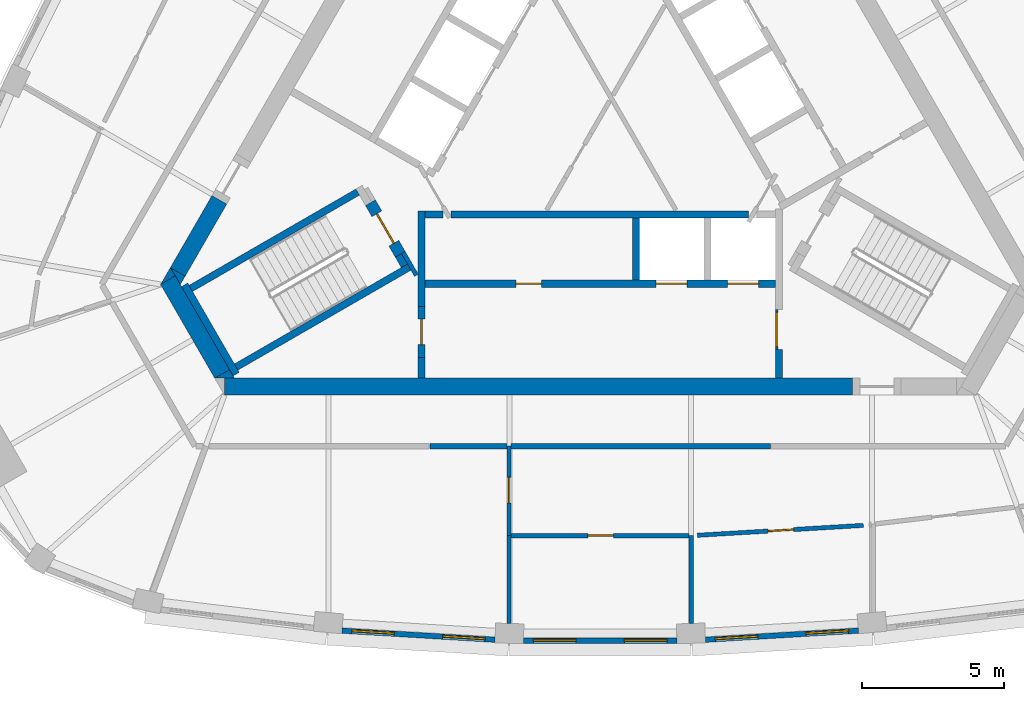
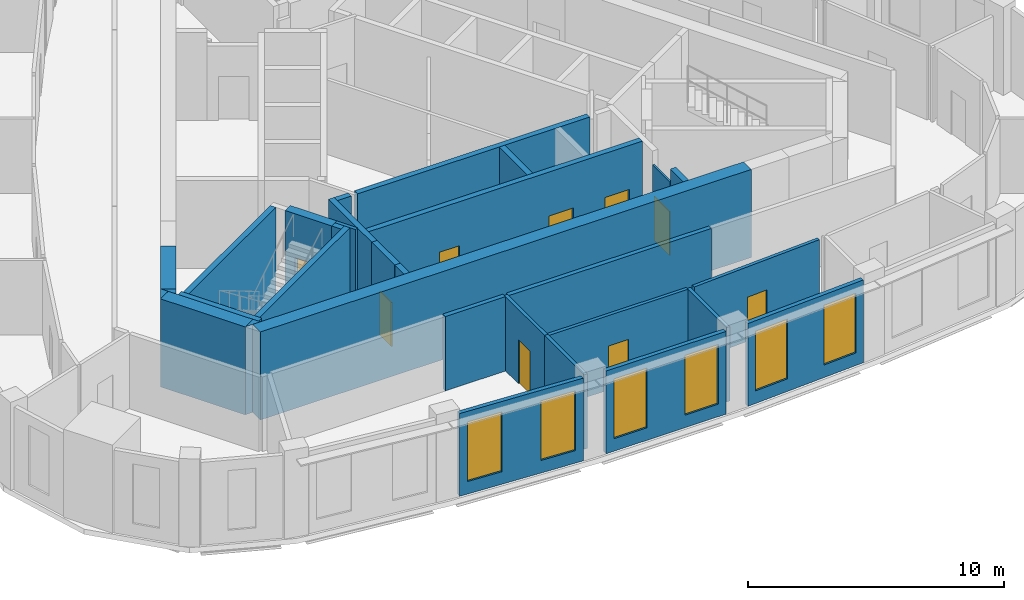
# One storey, part 3 of 10: 31 walls, 9 doors, 6 windows, 15 openings.
"""IFC4 building model written with IfcOpenShell, lengths in metres."""

from ifc_helpers import new_model, si_unit, direction, frame, frame_2d, origin, place, context, subcontext, project, spatial, polyline, rectangle, outline, extrude, material, layer, layer_set, type_object, element, fill, save


model = new_model("IFC4")

# Units and contexts
model_context = context("Model", 3, precision=1e-05, world=origin(), true_north=direction((0.0, 1.0)))
body_context = subcontext(model_context, "Body", "Model", "MODEL_VIEW")
ifc_project = project(units=[si_unit("LENGTHUNIT", "METRE"), si_unit("AREAUNIT", "SQUARE_METRE"), si_unit("VOLUMEUNIT", "CUBIC_METRE"), si_unit("PLANEANGLEUNIT", "RADIAN"), si_unit("MASSUNIT", "GRAM", prefix="KILO")], contexts=[model_context])

# Site, building, storey
site_placement = place(None, origin())
site = spatial("IfcSite", under=ifc_project, at=site_placement, CompositionType="ELEMENT")
building_placement = place(site_placement, origin())
building = spatial("IfcBuilding", under=site, at=building_placement, Name="Mestral Congress Tower", CompositionType="ELEMENT")
storey_placement = place(building_placement, frame((0.0, 0.0, 275.39990234375)))
storey = spatial("IfcBuildingStorey", under=building, at=storey_placement, Name="L64", CompositionType="ELEMENT", Elevation=275.39990234375)

# Wall, opening, door
ifc_material_1 = material(Name="Fire-rated board partition")
ifc_layer_1 = layer(ifc_material_1, 0.090087890625)
ifc_layer_set_1 = layer_set([ifc_layer_1], Name="Fire-rated board partition")
wall_type_1 = type_object("IfcWallType", Name="Core partition 150 door-wall 90", PredefinedType="PARTITIONING", material=ifc_layer_set_1)
wall_1_placement = place(storey_placement, frame((6.219970703125, -7.23681640625, 0.0), z_axis=(0.0, 0.0, 1.0), x_axis=(0.0, -1.0, 0.0)))
wall_1 = element("IfcWall", 1, at=wall_1_placement, inside=storey, type_object=wall_type_1, Name="L64 door wall", PredefinedType="PARTITIONING", context=body_context, shape_type="SweptSolid", body=[
    extrude(rectangle(XDim=1.400146484375, YDim=0.090087890625, at=frame_2d((0.7001953125, 0.0))), origin(), (0.0, 0.0, 1.0), 3.550048828125),
])
opening_1_placement = place(wall_1_placement, frame((0.10009765625, 0.0, 0.0)))
opening_1 = element("IfcOpeningElement", 2, at=opening_1_placement, cuts=wall_1, Name="Opening LB0-WL1", PredefinedType="OPENING", context=body_context, shape_type="SweptSolid", body=[
    extrude(rectangle(XDim=1.199951171875, YDim=2.10009765625, at=frame_2d((0.60009765625, 1.050048828125))), frame((0.0, 0.054931640625, 0.0), z_axis=(0.0, -1.0, 0.0), x_axis=(1.0, 0.0, 0.0)), (0.0, 0.0, 1.0), 0.110107421875),
])
ifc_material_2 = material(Name="Fire-rated steel door set", Category="steel")
door_type_1 = type_object("IfcDoorType", Name="Core door LB 1200x2100", OperationType="SINGLE_SWING_LEFT", PredefinedType="DOOR", material=ifc_material_2)
door_1_placement = place(opening_1_placement, origin())
door_1 = element("IfcDoor", 3, at=door_1_placement, inside=storey, type_object=door_type_1, Name="Door LB0-WL1", OperationType="SINGLE_SWING_LEFT", OverallHeight=2.10009765625, OverallWidth=1.199951171875, PredefinedType="DOOR", context=body_context, shape_type="SweptSolid", body=[
    extrude(rectangle(XDim=1.199951171875, YDim=2.10009765625, at=frame_2d((0.60009765625, 1.050048828125))), frame((0.0, 0.02490234375, 0.0), z_axis=(0.0, -1.0, 0.0), x_axis=(1.0, 0.0, 0.0)), (0.0, 0.0, 1.0), 0.050048828125),
])
fill(opening_1, door_1)

# Walls
ifc_material_3 = material(Name="Concrete C60/75", Category="concrete")
ifc_layer_2 = layer(ifc_material_3, 0.60009765625)
ifc_layer_set_2 = layer_set([ifc_layer_2], Name="Concrete C60/75")
wall_type_2 = type_object("IfcWallType", Name="Core wall RC 600", PredefinedType="SOLIDWALL", material=ifc_layer_set_2)
wall_2_placement = place(storey_placement, frame((8.904296875, -9.949951171875, 0.0), z_axis=(0.0, 0.0, 1.0), x_axis=(-1.0, 0.0, 0.0)))
element("IfcWall", 4, at=wall_2_placement, inside=storey, type_object=wall_type_2, Name="L64 core wall", PredefinedType="SOLIDWALL", context=body_context, shape_type="SweptSolid", body=[
    extrude(rectangle(XDim=22.160888671875, YDim=0.60009765625, at=frame_2d((11.08056640625, 0.0))), origin(), (0.0, 0.0, 1.0), 4.2001953125),
])
wall_3_placement = place(storey_placement, frame((-13.33349609375, -9.505615234375, 0.0), z_axis=(0.0, 0.0, 1.0), x_axis=(-0.500019073792, 0.866014391245, 0.0)))
element("IfcWall", 5, at=wall_3_placement, inside=storey, type_object=wall_type_2, Name="L64 core wall", PredefinedType="SOLIDWALL", context=body_context, shape_type="SweptSolid", body=[
    extrude(rectangle(XDim=3.823486328125, YDim=0.60009765625, at=frame_2d((1.91162109375, 0.0))), origin(), (0.0, 0.0, 1.0), 4.2001953125),
])
placement = place(storey_placement, origin())
element("IfcWall", 6, at=placement, inside=storey, type_object=wall_type_2, Name="L64 core wall", PredefinedType="SOLIDWALL", context=body_context, shape_type="SweptSolid", body=[
    extrude(outline(polyline([(-14.986572265625, -6.042724609375), (-15.493408203125, -6.33544921875), (-15.155517578125, -5.75), (-14.986572265625, -6.042724609375)])), origin(), (0.0, 0.0, 1.0), 4.2001953125),
])
element("IfcWall", 7, at=placement, inside=storey, type_object=wall_type_2, Name="L64 core wall", PredefinedType="SOLIDWALL", context=body_context, shape_type="SweptSolid", body=[
    extrude(outline(polyline([(-12.90380859375, -9.64990234375), (-13.579833984375, -9.64990234375), (-13.07275390625, -9.357421875), (-12.90380859375, -9.64990234375)])), origin(), (0.0, 0.0, 1.0), 4.2001953125),
])
wall_6_placement = place(storey_placement, frame((-13.431640625, -3.3642578125, 0.0), z_axis=(0.0, 0.0, 1.0), x_axis=(-0.499960127962, -0.866048422692, 0.0)))
element("IfcWall", 8, at=wall_6_placement, inside=storey, type_object=wall_type_2, Name="L64 core wall", PredefinedType="SOLIDWALL", context=body_context, shape_type="SweptSolid", body=[
    extrude(rectangle(XDim=2.934326171875, YDim=0.60009765625, at=frame_2d((1.46728515625, 0.0))), origin(), (0.0, 0.0, 1.0), 4.2001953125),
])
element("IfcWall", 9, at=placement, inside=storey, type_object=wall_type_2, Name="L64 core wall", PredefinedType="SOLIDWALL", context=body_context, shape_type="SweptSolid", body=[
    extrude(outline(polyline([(-14.80908203125, -6.35009765625), (-15.147216796875, -5.764404296875), (-14.639892578125, -6.057373046875), (-14.80908203125, -6.35009765625)])), origin(), (0.0, 0.0, 1.0), 4.2001953125),
])

# Wall, openings, windows
ifc_material_4 = material(Name="Precast concrete C40/50 with limestone facing", Category="masonry")
ifc_layer_3 = layer(ifc_material_4, 0.18994140625)
ifc_layer_set_3 = layer_set([ifc_layer_3], Name="Precast concrete C40/50 with limestone facing")
wall_type_3 = type_object("IfcWallType", Name="Facade stone wall 190", PredefinedType="SOLIDWALL", material=ifc_layer_set_3)
wall_8_placement = place(storey_placement, frame((-9.106689453125, -18.557861328125, 0.0), z_axis=(0.0, 0.0, 1.0), x_axis=(0.998221492823, -0.059614186786, 0.0)))
wall_8 = element("IfcWall", 10, at=wall_8_placement, inside=storey, type_object=wall_type_3, Name="Facade wall F0-01", PredefinedType="SOLIDWALL", context=body_context, shape_type="SweptSolid", body=[
    extrude(rectangle(XDim=5.40576171875, YDim=0.18994140625, at=frame_2d((2.702880859375, 0.0))), origin(), (0.0, 0.0, 1.0), 3.9501953125),
])
opening_2_placement = place(wall_8_placement, frame((0.346435546875, 0.0, 0.60009765625)))
opening_2 = element("IfcOpeningElement", 11, at=opening_2_placement, cuts=wall_8, Name="Opening W6", PredefinedType="OPENING", context=body_context, shape_type="SweptSolid", body=[
    extrude(rectangle(XDim=1.5, YDim=2.85009765625, at=frame_2d((0.75, 1.425048828125))), frame((0.0, 0.10498046875, 0.0), z_axis=(0.0, -1.0, 0.0), x_axis=(1.0, 0.0, 0.0)), (0.0, 0.0, 1.0), 0.2099609375),
])
opening_3_placement = place(wall_8_placement, frame((3.559326171875, 0.0, 0.60009765625)))
opening_3 = element("IfcOpeningElement", 12, at=opening_3_placement, cuts=wall_8, Name="Opening W6", PredefinedType="OPENING", context=body_context, shape_type="SweptSolid", body=[
    extrude(rectangle(XDim=1.5, YDim=2.85009765625, at=frame_2d((0.75, 1.425048828125))), frame((0.0, 0.10498046875, 0.0), z_axis=(0.0, -1.0, 0.0), x_axis=(1.0, 0.0, 0.0)), (0.0, 0.0, 1.0), 0.2099609375),
])
ifc_material_5 = material(Name="Clear low-emissivity double glazing", Category="glass")
window_type = type_object("IfcWindowType", Name="Facade punched window 1500 x 2850 sill 600", PartitioningType="SINGLE_PANEL", PredefinedType="WINDOW", material=ifc_material_5)
window_1_placement = place(opening_2_placement, origin())
window_1 = element("IfcWindow", 13, at=window_1_placement, inside=storey, type_object=window_type, Name="Window F0-01a", OverallHeight=2.85009765625, OverallWidth=1.5, PartitioningType="SINGLE_PANEL", PredefinedType="WINDOW", context=body_context, shape_type="SweptSolid", body=[
    extrude(rectangle(XDim=1.5, YDim=2.85009765625, at=frame_2d((0.75, 1.425048828125))), frame((0.0, 0.044921875, 0.0), z_axis=(0.0, -1.0, 0.0), x_axis=(1.0, 0.0, 0.0)), (0.0, 0.0, 1.0), 0.06005859375),
])
fill(opening_2, window_1)
window_2_placement = place(opening_3_placement, origin())
window_2 = element("IfcWindow", 14, at=window_2_placement, inside=storey, type_object=window_type, Name="Window F0-01b", OverallHeight=2.85009765625, OverallWidth=1.5, PartitioningType="SINGLE_PANEL", PredefinedType="WINDOW", context=body_context, shape_type="SweptSolid", body=[
    extrude(rectangle(XDim=1.5, YDim=2.85009765625, at=frame_2d((0.75, 1.425048828125))), frame((0.0, 0.044921875, 0.0), z_axis=(0.0, -1.0, 0.0), x_axis=(1.0, 0.0, 0.0)), (0.0, 0.0, 1.0), 0.06005859375),
])
fill(opening_3, window_2)

wall_9_placement = place(storey_placement, frame((-2.702880859375, -18.91015625, 0.0), z_axis=(0.0, 0.0, 1.0), x_axis=(1.0, 0.0, 0.0)))
wall_9 = element("IfcWall", 15, at=wall_9_placement, inside=storey, type_object=wall_type_3, Name="Facade wall F0-02", PredefinedType="SOLIDWALL", context=body_context, shape_type="SweptSolid", body=[
    extrude(rectangle(XDim=5.40576171875, YDim=0.18994140625, at=frame_2d((2.702880859375, 0.0))), origin(), (0.0, 0.0, 1.0), 3.9501953125),
])
opening_4_placement = place(wall_9_placement, frame((0.346435546875, 0.0, 0.60009765625)))
opening_4 = element("IfcOpeningElement", 16, at=opening_4_placement, cuts=wall_9, Name="Opening W6", PredefinedType="OPENING", context=body_context, shape_type="SweptSolid", body=[
    extrude(rectangle(XDim=1.5, YDim=2.85009765625, at=frame_2d((0.75, 1.425048828125))), frame((0.0, 0.10498046875, 0.0), z_axis=(0.0, -1.0, 0.0), x_axis=(1.0, 0.0, 0.0)), (0.0, 0.0, 1.0), 0.2099609375),
])
opening_5_placement = place(wall_9_placement, frame((3.5595703125, 0.0, 0.60009765625)))
opening_5 = element("IfcOpeningElement", 17, at=opening_5_placement, cuts=wall_9, Name="Opening W6", PredefinedType="OPENING", context=body_context, shape_type="SweptSolid", body=[
    extrude(rectangle(XDim=1.5, YDim=2.85009765625, at=frame_2d((0.75, 1.425048828125))), frame((0.0, 0.10498046875, 0.0), z_axis=(0.0, -1.0, 0.0), x_axis=(1.0, 0.0, 0.0)), (0.0, 0.0, 1.0), 0.2099609375),
])
window_3_placement = place(opening_4_placement, origin())
window_3 = element("IfcWindow", 18, at=window_3_placement, inside=storey, type_object=window_type, Name="Window F0-02a", OverallHeight=2.85009765625, OverallWidth=1.5, PartitioningType="SINGLE_PANEL", PredefinedType="WINDOW", context=body_context, shape_type="SweptSolid", body=[
    extrude(rectangle(XDim=1.5, YDim=2.85009765625, at=frame_2d((0.75, 1.425048828125))), frame((0.0, 0.044921875, 0.0), z_axis=(0.0, -1.0, 0.0), x_axis=(1.0, 0.0, 0.0)), (0.0, 0.0, 1.0), 0.06005859375),
])
fill(opening_4, window_3)
window_4_placement = place(opening_5_placement, origin())
window_4 = element("IfcWindow", 19, at=window_4_placement, inside=storey, type_object=window_type, Name="Window F0-02b", OverallHeight=2.85009765625, OverallWidth=1.5, PartitioningType="SINGLE_PANEL", PredefinedType="WINDOW", context=body_context, shape_type="SweptSolid", body=[
    extrude(rectangle(XDim=1.5, YDim=2.85009765625, at=frame_2d((0.75, 1.425048828125))), frame((0.0, 0.044921875, 0.0), z_axis=(0.0, -1.0, 0.0), x_axis=(1.0, 0.0, 0.0)), (0.0, 0.0, 1.0), 0.06005859375),
])
fill(opening_5, window_4)

wall_10_placement = place(storey_placement, frame((3.71044921875, -18.880126953125, 0.0), z_axis=(0.0, 0.0, 1.0), x_axis=(0.998221492823, 0.059614186786, 0.0)))
wall_10 = element("IfcWall", 20, at=wall_10_placement, inside=storey, type_object=wall_type_3, Name="Facade wall F0-03", PredefinedType="SOLIDWALL", context=body_context, shape_type="SweptSolid", body=[
    extrude(rectangle(XDim=5.40576171875, YDim=0.18994140625, at=frame_2d((2.702880859375, 0.0))), origin(), (0.0, 0.0, 1.0), 3.9501953125),
])
opening_6_placement = place(wall_10_placement, frame((0.346435546875, 0.0, 0.60009765625)))
opening_6 = element("IfcOpeningElement", 21, at=opening_6_placement, cuts=wall_10, Name="Opening W6", PredefinedType="OPENING", context=body_context, shape_type="SweptSolid", body=[
    extrude(rectangle(XDim=1.5, YDim=2.85009765625, at=frame_2d((0.75, 1.425048828125))), frame((0.0, 0.10498046875, 0.0), z_axis=(0.0, -1.0, 0.0), x_axis=(1.0, 0.0, 0.0)), (0.0, 0.0, 1.0), 0.2099609375),
])
opening_7_placement = place(wall_10_placement, frame((3.559326171875, 0.0, 0.60009765625)))
opening_7 = element("IfcOpeningElement", 22, at=opening_7_placement, cuts=wall_10, Name="Opening W6", PredefinedType="OPENING", context=body_context, shape_type="SweptSolid", body=[
    extrude(rectangle(XDim=1.5, YDim=2.85009765625, at=frame_2d((0.75, 1.425048828125))), frame((0.0, 0.10498046875, 0.0), z_axis=(0.0, -1.0, 0.0), x_axis=(1.0, 0.0, 0.0)), (0.0, 0.0, 1.0), 0.2099609375),
])
window_5_placement = place(opening_6_placement, origin())
window_5 = element("IfcWindow", 23, at=window_5_placement, inside=storey, type_object=window_type, Name="Window F0-03a", OverallHeight=2.85009765625, OverallWidth=1.5, PartitioningType="SINGLE_PANEL", PredefinedType="WINDOW", context=body_context, shape_type="SweptSolid", body=[
    extrude(rectangle(XDim=1.5, YDim=2.85009765625, at=frame_2d((0.75, 1.425048828125))), frame((0.0, 0.044921875, 0.0), z_axis=(0.0, -1.0, 0.0), x_axis=(1.0, 0.0, 0.0)), (0.0, 0.0, 1.0), 0.06005859375),
])
fill(opening_6, window_5)
window_6_placement = place(opening_7_placement, origin())
window_6 = element("IfcWindow", 24, at=window_6_placement, inside=storey, type_object=window_type, Name="Window F0-03b", OverallHeight=2.85009765625, OverallWidth=1.5, PartitioningType="SINGLE_PANEL", PredefinedType="WINDOW", context=body_context, shape_type="SweptSolid", body=[
    extrude(rectangle(XDim=1.5, YDim=2.85009765625, at=frame_2d((0.75, 1.425048828125))), frame((0.0, 0.044921875, 0.0), z_axis=(0.0, -1.0, 0.0), x_axis=(1.0, 0.0, 0.0)), (0.0, 0.0, 1.0), 0.06005859375),
])
fill(opening_7, window_6)

# Wall
ifc_material_6 = material(Name="Plasterboard partition on steel studs", Category="steel")
ifc_layer_4 = layer(ifc_material_6, 0.14990234375)
ifc_layer_set_4 = layer_set([ifc_layer_4], Name="Plasterboard partition on steel studs")
wall_type_4 = type_object("IfcWallType", Name="Office partition 150", PredefinedType="PARTITIONING", material=ifc_layer_set_4)
wall_11_placement = place(storey_placement, frame((-3.212890625, -15.204345703125, 0.0), z_axis=(0.0, 0.0, 1.0), x_axis=(0.0, -1.0, 0.0)))
element("IfcWall", 25, at=wall_11_placement, inside=storey, type_object=wall_type_4, Name="Partition", PredefinedType="PARTITIONING", context=body_context, shape_type="SweptSolid", body=[
    extrude(rectangle(XDim=3.100341796875, YDim=0.14990234375, at=frame_2d((1.55029296875, 0.0))), origin(), (0.0, 0.0, 1.0), 3.550048828125),
])

# Wall, opening, door
wall_12_placement = place(storey_placement, frame((-3.212890625, -15.21240234375, 0.0), z_axis=(0.0, 0.0, 1.0), x_axis=(0.0, 1.0, 0.0)))
wall_12 = element("IfcWall", 26, at=wall_12_placement, inside=storey, type_object=wall_type_4, Name="Partition", PredefinedType="PARTITIONING", context=body_context, shape_type="SweptSolid", body=[
    extrude(rectangle(XDim=3.162353515625, YDim=0.14990234375, at=frame_2d((1.5810546875, 0.0))), origin(), (0.0, 0.0, 1.0), 3.550048828125),
])
opening_8_placement = place(wall_12_placement, frame((1.162353515625, 0.0, 0.0)))
opening_8 = element("IfcOpeningElement", 27, at=opening_8_placement, cuts=wall_12, Name="Opening O11-001", PredefinedType="OPENING", context=body_context, shape_type="SweptSolid", body=[
    extrude(rectangle(XDim=0.89990234375, YDim=2.10009765625, at=frame_2d((0.449951171875, 1.050048828125))), frame((0.0, 0.0849609375, 0.0), z_axis=(0.0, -1.0, 0.0), x_axis=(1.0, 0.0, 0.0)), (0.0, 0.0, 1.0), 0.169921875),
])
ifc_material_7 = material(Name="Timber door set", Category="wood")
door_type_2 = type_object("IfcDoorType", Name="Office door 900x2100", OperationType="SINGLE_SWING_LEFT", PredefinedType="DOOR", material=ifc_material_7)
door_2_placement = place(opening_8_placement, origin())
door_2 = element("IfcDoor", 28, at=door_2_placement, inside=storey, type_object=door_type_2, Name="Door O11-001", OperationType="SINGLE_SWING_RIGHT", OverallHeight=2.10009765625, OverallWidth=0.89990234375, PredefinedType="DOOR", context=body_context, shape_type="SweptSolid", body=[
    extrude(rectangle(XDim=0.89990234375, YDim=2.10009765625, at=frame_2d((0.449951171875, 1.050048828125))), frame((0.0, 0.02490234375, 0.0), z_axis=(0.0, -1.0, 0.0), x_axis=(1.0, 0.0, 0.0)), (0.0, 0.0, 1.0), 0.050048828125),
])
fill(opening_8, door_2)

# Wall
wall_13_placement = place(storey_placement, frame((3.212890625, -15.208251953125, 0.0), z_axis=(0.0, 0.0, 1.0), x_axis=(0.0, -1.0, 0.0)))
element("IfcWall", 29, at=wall_13_placement, inside=storey, type_object=wall_type_4, Name="Partition", PredefinedType="PARTITIONING", context=body_context, shape_type="SweptSolid", body=[
    extrude(rectangle(XDim=3.096435546875, YDim=0.14990234375, at=frame_2d((1.54833984375, 0.0))), origin(), (0.0, 0.0, 1.0), 3.550048828125),
])

# Wall, opening, door
wall_14_placement = place(storey_placement, frame((3.137939453125, -15.208251953125, 0.0), z_axis=(0.0, 0.0, 1.0), x_axis=(-1.0, 0.0, 0.0)))
wall_14 = element("IfcWall", 30, at=wall_14_placement, inside=storey, type_object=wall_type_4, Name="Partition", PredefinedType="PARTITIONING", context=body_context, shape_type="SweptSolid", body=[
    extrude(rectangle(XDim=6.27587890625, YDim=0.14990234375, at=frame_2d((3.137939453125, 0.0))), origin(), (0.0, 0.0, 1.0), 3.550048828125),
])
opening_9_placement = place(wall_14_placement, frame((2.676025390625, 0.0, 0.0)))
opening_9 = element("IfcOpeningElement", 31, at=opening_9_placement, cuts=wall_14, Name="Opening O11-002", PredefinedType="OPENING", context=body_context, shape_type="SweptSolid", body=[
    extrude(rectangle(XDim=0.89990234375, YDim=2.10009765625, at=frame_2d((0.449951171875, 1.050048828125))), frame((0.0, 0.0849609375, 0.0), z_axis=(0.0, -1.0, 0.0), x_axis=(1.0, 0.0, 0.0)), (0.0, 0.0, 1.0), 0.169921875),
])
door_3_placement = place(opening_9_placement, origin())
door_3 = element("IfcDoor", 32, at=door_3_placement, inside=storey, type_object=door_type_2, Name="Door O11-002", OperationType="SINGLE_SWING_LEFT", OverallHeight=2.10009765625, OverallWidth=0.89990234375, PredefinedType="DOOR", context=body_context, shape_type="SweptSolid", body=[
    extrude(rectangle(XDim=0.89990234375, YDim=2.10009765625, at=frame_2d((0.449951171875, 1.050048828125))), frame((0.0, 0.02490234375, 0.0), z_axis=(0.0, -1.0, 0.0), x_axis=(1.0, 0.0, 0.0)), (0.0, 0.0, 1.0), 0.050048828125),
])
fill(opening_9, door_3)

wall_15_placement = place(storey_placement, frame((9.279541015625, -14.845947265625, 0.0), z_axis=(0.0, 0.0, 1.0), x_axis=(-0.998220544688, -0.059630060904, 0.0)))
wall_15 = element("IfcWall", 33, at=wall_15_placement, inside=storey, type_object=wall_type_4, Name="Partition", PredefinedType="PARTITIONING", context=body_context, shape_type="SweptSolid", body=[
    extrude(rectangle(XDim=5.863037109375, YDim=0.14990234375, at=frame_2d((2.931640625, 0.0))), origin(), (0.0, 0.0, 1.0), 3.550048828125),
])
opening_10_placement = place(wall_15_placement, frame((2.463134765625, 0.0, 0.0)))
opening_10 = element("IfcOpeningElement", 34, at=opening_10_placement, cuts=wall_15, Name="Opening O11-003", PredefinedType="OPENING", context=body_context, shape_type="SweptSolid", body=[
    extrude(rectangle(XDim=0.89990234375, YDim=2.10009765625, at=frame_2d((0.449951171875, 1.050048828125))), frame((0.0, 0.0849609375, 0.0), z_axis=(0.0, -1.0, 0.0), x_axis=(1.0, 0.0, 0.0)), (0.0, 0.0, 1.0), 0.169921875),
])
door_4_placement = place(opening_10_placement, origin())
door_4 = element("IfcDoor", 35, at=door_4_placement, inside=storey, type_object=door_type_2, Name="Door O11-003", OperationType="SINGLE_SWING_LEFT", OverallHeight=2.10009765625, OverallWidth=0.89990234375, PredefinedType="DOOR", context=body_context, shape_type="SweptSolid", body=[
    extrude(rectangle(XDim=0.89990234375, YDim=2.10009765625, at=frame_2d((0.449951171875, 1.050048828125))), frame((0.0, 0.02490234375, 0.0), z_axis=(0.0, -1.0, 0.0), x_axis=(1.0, 0.0, 0.0)), (0.0, 0.0, 1.0), 0.050048828125),
])
fill(opening_10, door_4)

# Walls
ifc_material_8 = material(Name="Dense masonry wall, plastered", Category="masonry")
ifc_layer_5 = layer(ifc_material_8, 0.199951171875)
ifc_layer_set_5 = layer_set([ifc_layer_5], Name="Dense masonry wall, plastered")
wall_type_5 = type_object("IfcWallType", Name="Office tenancy wall 200", PredefinedType="PARTITIONING", material=ifc_layer_set_5)
wall_16_placement = place(storey_placement, frame((-6.0, -12.050048828125, 0.0), z_axis=(0.0, 0.0, 1.0), x_axis=(1.0, 0.0, 0.0)))
element("IfcWall", 36, at=wall_16_placement, inside=storey, type_object=wall_type_5, Name="Tenancy wall", PredefinedType="PARTITIONING", context=body_context, shape_type="SweptSolid", body=[
    extrude(rectangle(XDim=2.7119140625, YDim=0.199951171875, at=frame_2d((1.35595703125, 0.0))), origin(), (0.0, 0.0, 1.0), 3.550048828125),
])
wall_17_placement = place(storey_placement, frame((-3.137939453125, -12.050048828125, 0.0), z_axis=(0.0, 0.0, 1.0), x_axis=(1.0, 0.0, 0.0)))
element("IfcWall", 37, at=wall_17_placement, inside=storey, type_object=wall_type_5, Name="Tenancy wall", PredefinedType="PARTITIONING", context=body_context, shape_type="SweptSolid", body=[
    extrude(rectangle(XDim=9.137939453125, YDim=0.199951171875, at=frame_2d((4.56884765625, 0.0))), origin(), (0.0, 0.0, 1.0), 3.550048828125),
])
ifc_layer_6 = layer(ifc_material_3, 0.25)
ifc_layer_set_6 = layer_set([ifc_layer_6], Name="Concrete C60/75")
wall_type_6 = type_object("IfcWallType", Name="Shaft wall RC 250", PredefinedType="SOLIDWALL", material=ifc_layer_set_6)
wall_18_placement = place(storey_placement, frame((6.300048828125, -9.64990234375, 0.0), z_axis=(0.0, 0.0, 1.0), x_axis=(0.0, 1.0, 0.0)))
element("IfcWall", 38, at=wall_18_placement, inside=storey, type_object=wall_type_6, Name="L64 core wall", PredefinedType="SOLIDWALL", context=body_context, shape_type="SweptSolid", body=[
    extrude(rectangle(XDim=1.0078125, YDim=0.25, at=frame_2d((0.50390625, 0.0))), origin(), (0.0, 0.0, 1.0), 4.2001953125),
])
wall_19_placement = place(storey_placement, frame((-5.25927734375, -3.875, 0.0), z_axis=(0.0, 0.0, 1.0), x_axis=(1.0, 0.0, 0.0)))
element("IfcWall", 39, at=wall_19_placement, inside=storey, type_object=wall_type_6, Name="L64 core wall", PredefinedType="SOLIDWALL", context=body_context, shape_type="SweptSolid", body=[
    extrude(rectangle(XDim=10.488525390625, YDim=0.25, at=frame_2d((5.244140625, 0.0))), origin(), (0.0, 0.0, 1.0), 4.2001953125),
])
wall_20_placement = place(storey_placement, frame((1.260009765625, -4.0, 0.0), z_axis=(0.0, 0.0, 1.0), x_axis=(0.0, -1.0, 0.0)))
element("IfcWall", 40, at=wall_20_placement, inside=storey, type_object=wall_type_6, Name="L64 core wall", PredefinedType="SOLIDWALL", context=body_context, shape_type="SweptSolid", body=[
    extrude(rectangle(XDim=2.199951171875, YDim=0.25, at=frame_2d((1.10009765625, 0.0))), origin(), (0.0, 0.0, 1.0), 4.2001953125),
])
wall_21_placement = place(storey_placement, frame((-6.300048828125, -7.12451171875, 0.0), z_axis=(0.0, 0.0, 1.0), x_axis=(0.0, 1.0, 0.0)))
element("IfcWall", 41, at=wall_21_placement, inside=storey, type_object=wall_type_6, Name="L64 core wall", PredefinedType="SOLIDWALL", context=body_context, shape_type="SweptSolid", body=[
    extrude(rectangle(XDim=3.37451171875, YDim=0.25, at=frame_2d((1.687255859375, 0.0))), origin(), (0.0, 0.0, 1.0), 4.2001953125),
])
wall_22_placement = place(storey_placement, frame((-6.175048828125, -3.875, 0.0), z_axis=(0.0, 0.0, 1.0), x_axis=(1.0, 0.0, 0.0)))
element("IfcWall", 42, at=wall_22_placement, inside=storey, type_object=wall_type_6, Name="L64 core wall", PredefinedType="SOLIDWALL", context=body_context, shape_type="SweptSolid", body=[
    extrude(rectangle(XDim=0.63671875, YDim=0.25, at=frame_2d((0.318359375, 0.0))), origin(), (0.0, 0.0, 1.0), 4.2001953125),
])
wall_23_placement = place(storey_placement, frame((-6.300048828125, -8.9248046875, 0.0), z_axis=(0.0, 0.0, 1.0), x_axis=(0.0, -1.0, 0.0)))
element("IfcWall", 43, at=wall_23_placement, inside=storey, type_object=wall_type_6, Name="L64 core wall", PredefinedType="SOLIDWALL", context=body_context, shape_type="SweptSolid", body=[
    extrude(rectangle(XDim=0.72509765625, YDim=0.25, at=frame_2d((0.362548828125, 0.0))), origin(), (0.0, 0.0, 1.0), 4.2001953125),
])

# Wall, openings, doors
wall_24_placement = place(storey_placement, frame((-6.175048828125, -6.324951171875, 0.0), z_axis=(0.0, 0.0, 1.0), x_axis=(1.0, 0.0, 0.0)))
wall_24 = element("IfcWall", 44, at=wall_24_placement, inside=storey, type_object=wall_type_6, Name="L64 door wall", PredefinedType="SOLIDWALL", context=body_context, shape_type="SweptSolid", body=[
    extrude(rectangle(XDim=12.35009765625, YDim=0.25, at=frame_2d((6.175048828125, 0.0))), origin(), (0.0, 0.0, 1.0), 4.2001953125),
])
opening_11_placement = place(wall_24_placement, frame((3.205078125, 0.0, 0.0)))
opening_11 = element("IfcOpeningElement", 45, at=opening_11_placement, cuts=wall_24, Name="Opening SR-SOB1", PredefinedType="OPENING", context=body_context, shape_type="SweptSolid", body=[
    extrude(rectangle(XDim=0.89990234375, YDim=2.10009765625, at=frame_2d((0.449951171875, 1.050048828125))), frame((0.0, 0.135009765625, 0.0), z_axis=(0.0, -1.0, 0.0), x_axis=(1.0, 0.0, 0.0)), (0.0, 0.0, 1.0), 0.27001953125),
])
opening_12_placement = place(wall_24_placement, frame((8.14501953125, 0.0, 0.0)))
opening_12 = element("IfcOpeningElement", 46, at=opening_12_placement, cuts=wall_24, Name="Opening LD-SOB4", PredefinedType="OPENING", context=body_context, shape_type="SweptSolid", body=[
    extrude(rectangle(XDim=1.10009765625, YDim=2.10009765625, at=frame_2d((0.550048828125, 1.050048828125))), frame((0.0, 0.135009765625, 0.0), z_axis=(0.0, -1.0, 0.0), x_axis=(1.0, 0.0, 0.0)), (0.0, 0.0, 1.0), 0.27001953125),
])
opening_13_placement = place(wall_24_placement, frame((10.6650390625, 0.0, 0.0)))
opening_13 = element("IfcOpeningElement", 47, at=opening_13_placement, cuts=wall_24, Name="Opening LD-SOB5", PredefinedType="OPENING", context=body_context, shape_type="SweptSolid", body=[
    extrude(rectangle(XDim=1.10009765625, YDim=2.10009765625, at=frame_2d((0.550048828125, 1.050048828125))), frame((0.0, 0.135009765625, 0.0), z_axis=(0.0, -1.0, 0.0), x_axis=(1.0, 0.0, 0.0)), (0.0, 0.0, 1.0), 0.27001953125),
])
door_type_3 = type_object("IfcDoorType", Name="Core door LD 1100x2100", OperationType="DOUBLE_DOOR_SLIDING", PredefinedType="DOOR", material=ifc_material_2)
door_5_placement = place(opening_12_placement, origin())
door_5 = element("IfcDoor", 48, at=door_5_placement, inside=storey, type_object=door_type_3, Name="Door LD-SOB4", OperationType="DOUBLE_DOOR_SLIDING", OverallHeight=2.10009765625, OverallWidth=1.10009765625, PredefinedType="DOOR", context=body_context, shape_type="SweptSolid", body=[
    extrude(rectangle(XDim=1.10009765625, YDim=2.10009765625, at=frame_2d((0.550048828125, 1.050048828125))), frame((0.0, 0.02490234375, 0.0), z_axis=(0.0, -1.0, 0.0), x_axis=(1.0, 0.0, 0.0)), (0.0, 0.0, 1.0), 0.050048828125),
])
fill(opening_12, door_5)
door_6_placement = place(opening_13_placement, origin())
door_6 = element("IfcDoor", 49, at=door_6_placement, inside=storey, type_object=door_type_3, Name="Door LD-SOB5", OperationType="DOUBLE_DOOR_SLIDING", OverallHeight=2.10009765625, OverallWidth=1.10009765625, PredefinedType="DOOR", context=body_context, shape_type="SweptSolid", body=[
    extrude(rectangle(XDim=1.10009765625, YDim=2.10009765625, at=frame_2d((0.550048828125, 1.050048828125))), frame((0.0, 0.02490234375, 0.0), z_axis=(0.0, -1.0, 0.0), x_axis=(1.0, 0.0, 0.0)), (0.0, 0.0, 1.0), 0.050048828125),
])
fill(opening_13, door_6)
door_type_4 = type_object("IfcDoorType", Name="Core door SR 900x2100", OperationType="SINGLE_SWING_LEFT", PredefinedType="DOOR", material=ifc_material_2)
door_7_placement = place(opening_11_placement, origin())
door_7 = element("IfcDoor", 50, at=door_7_placement, inside=storey, type_object=door_type_4, Name="Door SR-SOB1", OperationType="SINGLE_SWING_LEFT", OverallHeight=2.10009765625, OverallWidth=0.89990234375, PredefinedType="DOOR", context=body_context, shape_type="SweptSolid", body=[
    extrude(rectangle(XDim=0.89990234375, YDim=2.10009765625, at=frame_2d((0.449951171875, 1.050048828125))), frame((0.0, 0.02490234375, 0.0), z_axis=(0.0, -1.0, 0.0), x_axis=(1.0, 0.0, 0.0)), (0.0, 0.0, 1.0), 0.050048828125),
])
fill(opening_11, door_7)

# Wall, opening, door
wall_25_placement = place(storey_placement, frame((-6.300048828125, -7.12451171875, 0.0), z_axis=(0.0, 0.0, 1.0), x_axis=(0.0, -1.0, 0.0)))
wall_25 = element("IfcWall", 51, at=wall_25_placement, inside=storey, type_object=wall_type_6, Name="L64 door wall", PredefinedType="SOLIDWALL", context=body_context, shape_type="SweptSolid", body=[
    extrude(rectangle(XDim=1.800048828125, YDim=0.25, at=frame_2d((0.89990234375, 0.0))), origin(), (0.0, 0.0, 1.0), 4.2001953125),
])
opening_14_placement = place(wall_25_placement, frame((0.449951171875, 0.0, 0.0)))
opening_14 = element("IfcOpeningElement", 52, at=opening_14_placement, cuts=wall_25, Name="Opening TD3", PredefinedType="OPENING", context=body_context, shape_type="SweptSolid", body=[
    extrude(rectangle(XDim=0.89990234375, YDim=2.10009765625, at=frame_2d((0.449951171875, 1.050048828125))), frame((0.0, 0.135009765625, 0.0), z_axis=(0.0, -1.0, 0.0), x_axis=(1.0, 0.0, 0.0)), (0.0, 0.0, 1.0), 0.27001953125),
])
door_8_placement = place(opening_14_placement, origin())
door_8 = element("IfcDoor", 53, at=door_8_placement, inside=storey, type_object=door_type_4, Name="Door TD3", OperationType="SINGLE_SWING_LEFT", OverallHeight=2.10009765625, OverallWidth=0.89990234375, PredefinedType="DOOR", context=body_context, shape_type="SweptSolid", body=[
    extrude(rectangle(XDim=0.89990234375, YDim=2.10009765625, at=frame_2d((0.449951171875, 1.050048828125))), frame((0.0, 0.02490234375, 0.0), z_axis=(0.0, -1.0, 0.0), x_axis=(1.0, 0.0, 0.0)), (0.0, 0.0, 1.0), 0.050048828125),
])
fill(opening_14, door_8)

# Walls
ifc_layer_7 = layer(ifc_material_3, 0.14990234375)
ifc_layer_set_7 = layer_set([ifc_layer_7], Name="Concrete C60/75")
wall_type_7 = type_object("IfcWallType", Name="Shaft wall RC 250 door-wall 150", PredefinedType="SOLIDWALL", material=ifc_layer_set_7)
wall_26_placement = place(storey_placement, frame((-6.48046875, -6.026611328125, 0.0), z_axis=(0.0, 0.0, 1.0), x_axis=(-0.499927229454, 0.866067413802, 0.0)))
element("IfcWall", 54, at=wall_26_placement, inside=storey, type_object=wall_type_7, Name="L64 core wall", PredefinedType="PARTITIONING", context=body_context, shape_type="SweptSolid", body=[
    extrude(rectangle(XDim=0.928955078125, YDim=0.14990234375, at=frame_2d((0.46435546875, 0.0))), origin(), (0.0, 0.0, 1.0), 4.2001953125),
])
ifc_layer_8 = layer(ifc_material_3, 0.25)
ifc_layer_set_8 = layer_set([ifc_layer_8], Name="Concrete C60/75")
wall_type_8 = type_object("IfcWallType", Name="Stair wall RC 250", PredefinedType="SOLIDWALL", material=ifc_layer_set_8)
wall_27_placement = place(storey_placement, frame((-12.839599609375, -9.510986328125, 0.0), z_axis=(0.0, 0.0, 1.0), x_axis=(-0.499997733992, 0.866026712061, 0.0)))
element("IfcWall", 55, at=wall_27_placement, inside=storey, type_object=wall_type_8, Name="L64 core wall", PredefinedType="SOLIDWALL", context=body_context, shape_type="SweptSolid", body=[
    extrude(rectangle(XDim=3.6337890625, YDim=0.25, at=frame_2d((1.81689453125, 0.0))), origin(), (0.0, 0.0, 1.0), 4.2001953125),
])
wall_28_placement = place(storey_placement, frame((-14.43994140625, -6.489501953125, 0.0), z_axis=(0.0, 0.0, 1.0), x_axis=(0.866022966069, 0.500004222222, 0.0)))
element("IfcWall", 56, at=wall_28_placement, inside=storey, type_object=wall_type_8, Name="L64 core wall", PredefinedType="SOLIDWALL", context=body_context, shape_type="SweptSolid", body=[
    extrude(rectangle(XDim=6.80029296875, YDim=0.25, at=frame_2d((3.400146484375, 0.0))), origin(), (0.0, 0.0, 1.0), 4.2001953125),
])
wall_29_placement = place(storey_placement, frame((-12.83984375, -9.2607421875, 0.0), z_axis=(0.0, 0.0, 1.0), x_axis=(0.866016039709, 0.500016218704, 0.0)))
element("IfcWall", 57, at=wall_29_placement, inside=storey, type_object=wall_type_8, Name="L64 core wall", PredefinedType="SOLIDWALL", context=body_context, shape_type="SweptSolid", body=[
    extrude(rectangle(XDim=7.050048828125, YDim=0.25, at=frame_2d((3.52490234375, 0.0))), origin(), (0.0, 0.0, 1.0), 4.2001953125),
])
wall_30_placement = place(storey_placement, frame((-6.905029296875, -5.68994140625, 0.0), z_axis=(0.0, 0.0, 1.0), x_axis=(-0.500402024738, 0.865793170242, 0.0)))
element("IfcWall", 58, at=wall_30_placement, inside=storey, type_object=wall_type_8, Name="L64 core wall", PredefinedType="SOLIDWALL", context=body_context, shape_type="SweptSolid", body=[
    extrude(rectangle(XDim=0.425048828125, YDim=0.25, at=frame_2d((0.21240234375, 0.0))), origin(), (0.0, 0.0, 1.0), 4.2001953125),
])

# Wall, opening, door
ifc_layer_9 = layer(ifc_material_3, 0.39990234375)
ifc_layer_set_9 = layer_set([ifc_layer_9], Name="Concrete C60/75")
wall_type_9 = type_object("IfcWallType", Name="Stair wall RC 250 door-wall 400", PredefinedType="SOLIDWALL", material=ifc_layer_set_9)
wall_31_placement = place(storey_placement, frame((-8.102783203125, -3.4658203125, 0.0), z_axis=(0.0, 0.0, 1.0), x_axis=(0.500078061341, -0.865980330357, 0.0)))
wall_31 = element("IfcWall", 59, at=wall_31_placement, inside=storey, type_object=wall_type_9, Name="L64 door wall", PredefinedType="SOLIDWALL", context=body_context, shape_type="SweptSolid", body=[
    extrude(rectangle(XDim=2.099853515625, YDim=0.39990234375, at=frame_2d((1.0498046875, 0.0))), origin(), (0.0, 0.0, 1.0), 4.2001953125),
])
opening_15_placement = place(wall_31_placement, frame((0.449951171875, 0.0, 0.0)))
opening_15 = element("IfcOpeningElement", 60, at=opening_15_placement, cuts=wall_31, Name="Opening ST-D3", PredefinedType="OPENING", context=body_context, shape_type="SweptSolid", body=[
    extrude(rectangle(XDim=1.199951171875, YDim=2.10009765625, at=frame_2d((0.60009765625, 1.050048828125))), frame((0.0, 0.2099609375, 0.0), z_axis=(0.0, -1.0, 0.0), x_axis=(1.0, 0.0, 0.0)), (0.0, 0.0, 1.0), 0.419921875),
])
door_type_5 = type_object("IfcDoorType", Name="Core door ST 1200x2100", OperationType="SINGLE_SWING_LEFT", PredefinedType="DOOR", material=ifc_material_2)
door_9_placement = place(opening_15_placement, origin())
door_9 = element("IfcDoor", 61, at=door_9_placement, inside=storey, type_object=door_type_5, Name="Door ST-D3", OperationType="SINGLE_SWING_LEFT", OverallHeight=2.10009765625, OverallWidth=1.199951171875, PredefinedType="DOOR", context=body_context, shape_type="SweptSolid", body=[
    extrude(rectangle(XDim=1.199951171875, YDim=2.10009765625, at=frame_2d((0.60009765625, 1.050048828125))), frame((0.0, 0.02490234375, 0.0), z_axis=(0.0, -1.0, 0.0), x_axis=(1.0, 0.0, 0.0)), (0.0, 0.0, 1.0), 0.050048828125),
])
fill(opening_15, door_9)

save(model, "model.ifc")
